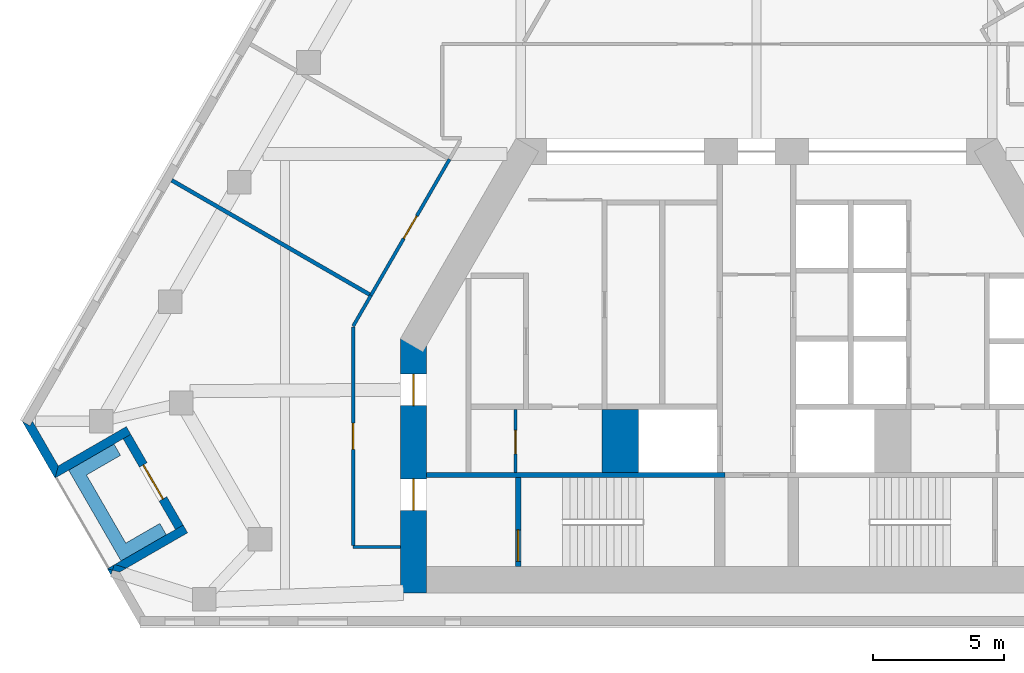
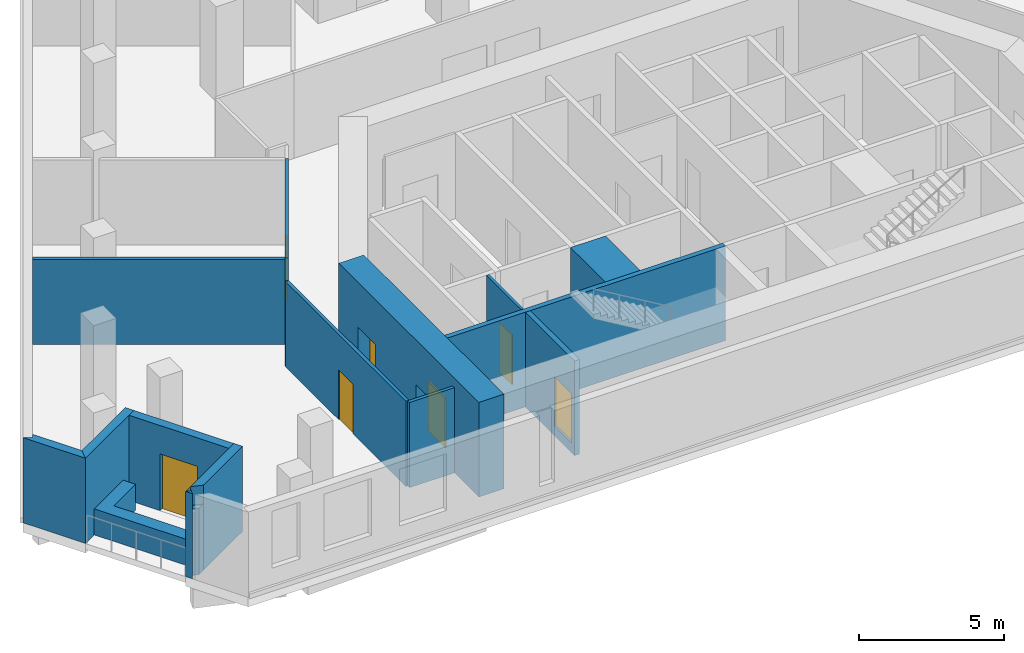
# One storey, part 3 of 9: 18 walls, 7 doors, 7 openings.
"""IFC4 building model written with IfcOpenShell, lengths in metres."""

import ifcopenshell
import ifcopenshell.guid

model = None  # the IFC model being written
_history = None  # IfcOwnerHistory: only IFC2X3 demands one
_inside = {}  # id of a spatial element -> (the spatial element, [elements in it])
_under = {}  # id of a project, library or spatial element -> (it, [spatial elements below it])
_declared = {}  # id of a project -> (the project, [libraries it declares])
_typed = {}  # id of a type object -> (the type object, [elements of that type])
_made_of = {}  # id of a material, layer set ... -> (it, [elements and type objects made of it])


def new_model(schema):
    """Start an empty IFC model of exactly this schema.

    Asked for "IFC4X3", IfcOpenShell would pick the latest addendum, in which some entities
    have other attributes; the version numbers below select the first issue.
    IFC2X3 requires an IfcOwnerHistory on every rooted entity: one is made here for all.
    """
    global model, _history
    if schema == "IFC4X3":
        model = ifcopenshell.file(schema_version=(4, 3, 0, 0))
    else:
        model = ifcopenshell.file(schema=schema)
    _inside.clear()
    _under.clear()
    _declared.clear()
    _typed.clear()
    _made_of.clear()
    _history = None
    if model.schema == "IFC2X3":
        org = make("IfcOrganization", Name="unknown")
        user = make(
            "IfcPersonAndOrganization",
            ThePerson=make("IfcPerson", FamilyName="unknown"),
            TheOrganization=org,
        )
        app = make(
            "IfcApplication",
            ApplicationDeveloper=org,
            Version="unknown",
            ApplicationFullName="unknown",
            ApplicationIdentifier="unknown",
        )
        _history = make(
            "IfcOwnerHistory",
            OwningUser=user,
            OwningApplication=app,
            ChangeAction="ADDED",
            CreationDate=0,
        )
    return model


def make(cls, **values):
    """One entity of the class cls with the attributes given. An attribute that is None is left unset."""
    return model.create_entity(
        cls, **{name: value for name, value in values.items() if value is not None}
    )


def rooted(cls, **values):
    """An entity with a GlobalId (a new one), such as an element, a storey or a relation."""
    return make(cls, GlobalId=ifcopenshell.guid.new(), OwnerHistory=_history, **values)


def si_unit(unit_type, name, prefix=None):
    """IfcSIUnit, for example si_unit("LENGTHUNIT", "METRE", prefix="MILLI")."""
    return make("IfcSIUnit", UnitType=unit_type, Prefix=prefix, Name=name)


def assignment(units):
    """IfcUnitAssignment: the units of a project."""
    return None if units is None else make("IfcUnitAssignment", Units=units)


def point(xyz):
    """IfcCartesianPoint."""
    return None if xyz is None else make("IfcCartesianPoint", Coordinates=xyz)


def direction(xyz):
    """IfcDirection."""
    return None if xyz is None else make("IfcDirection", DirectionRatios=xyz)


def frame(location, z_axis=None, x_axis=None):
    """IfcAxis2Placement3D, a coordinate frame: its origin and axes. An axis left out is left unset."""
    return make(
        "IfcAxis2Placement3D",
        Location=point(location),
        Axis=direction(z_axis),
        RefDirection=direction(x_axis),
    )


def frame_2d(location, x_axis=None):
    """IfcAxis2Placement2D, a coordinate frame in the plane: its origin and x axis."""
    return make(
        "IfcAxis2Placement2D", Location=point(location), RefDirection=direction(x_axis)
    )


def origin():
    """The frame at (0, 0, 0) with its axes left unset."""
    return frame((0.0, 0.0, 0.0))


def place(relative_to, where):
    """IfcLocalPlacement: puts the frame where relative to a parent placement (None: the world)."""
    return make(
        "IfcLocalPlacement", PlacementRelTo=relative_to, RelativePlacement=where
    )


def context(
    kind, dimensions, precision=None, world=None, true_north=None, identifier=None
):
    """IfcGeometricRepresentationContext, for example the 3D "Model" context."""
    return make(
        "IfcGeometricRepresentationContext",
        ContextIdentifier=identifier,
        ContextType=kind,
        CoordinateSpaceDimension=dimensions,
        Precision=precision,
        WorldCoordinateSystem=world,
        TrueNorth=true_north,
    )


def subcontext(parent, identifier, kind, view, scale=None):
    """IfcGeometricRepresentationSubContext, for example "Body" below "Model"."""
    return make(
        "IfcGeometricRepresentationSubContext",
        ContextIdentifier=identifier,
        ContextType=kind,
        ParentContext=parent,
        TargetScale=scale,
        TargetView=view,
    )


def project(units=None, contexts=None):
    """IfcProject with its units and contexts."""
    return rooted(
        "IfcProject",
        Name="project",
        RepresentationContexts=contexts,
        UnitsInContext=assignment(units),
    )


def spatial(cls, under=None, at=None, **own):
    """A site, building, storey or space (cls), placed at a placement, below another one or the project."""
    s = rooted(cls, ObjectPlacement=at, **own)
    if under is not None:
        _under.setdefault(under.id(), (under, []))[1].append(s)
    return s


def polyline(points):
    """IfcPolyline through the points."""
    return make("IfcPolyline", Points=[point(p) for p in points])


def profile(cls, at=None, kind="AREA", **sizes):
    """A parametric profile (cls). Its sizes go by their IFC names, for example OverallWidth=200.0."""
    return make(cls, ProfileType=kind, Position=at, **sizes)


def rectangle(**sizes):
    """IfcRectangleProfileDef."""
    return profile("IfcRectangleProfileDef", **sizes)


def outline(outer, holes=None, kind="AREA"):
    """IfcArbitraryClosedProfileDef: a profile drawn as a closed curve; with holes, ...WithVoids."""
    if holes is None:
        return make("IfcArbitraryClosedProfileDef", ProfileType=kind, OuterCurve=outer)
    return make(
        "IfcArbitraryProfileDefWithVoids",
        ProfileType=kind,
        OuterCurve=outer,
        InnerCurves=holes,
    )


def extrude(swept, where, along, depth):
    """IfcExtrudedAreaSolid: the profile swept, set in the frame where, extruded along a direction by depth."""
    return make(
        "IfcExtrudedAreaSolid",
        SweptArea=swept,
        Position=where,
        ExtrudedDirection=direction(along),
        Depth=depth,
    )


def shape(context_of_items, identifier, shape_type, items):
    """IfcShapeRepresentation: the items that make up one representation, for example the "Body"."""
    return make(
        "IfcShapeRepresentation",
        ContextOfItems=context_of_items,
        RepresentationIdentifier=identifier,
        RepresentationType=shape_type,
        Items=items,
    )


def material(Name=None, Category=None):
    """IfcMaterial."""
    return make("IfcMaterial", Name=Name, Category=Category)


def layer(
    of_material, thickness, ventilated=None, Name=None, Category=None, Priority=None
):
    """IfcMaterialLayer: one layer of a wall or slab, of a material (None: an air gap)."""
    return make(
        "IfcMaterialLayer",
        Material=of_material,
        LayerThickness=thickness,
        IsVentilated=ventilated,
        Name=Name,
        Category=Category,
        Priority=Priority,
    )


def layer_set(layers, Name=None):
    """IfcMaterialLayerSet."""
    return make("IfcMaterialLayerSet", MaterialLayers=layers, LayerSetName=Name)


def made_of(thing, what):
    """Note that an element or type object is made of a material, layer set ...; save() writes the relation."""
    if what is not None:
        _made_of.setdefault(what.id(), (what, []))[1].append(thing)
    return thing


def type_object(cls, material=None, **own):
    """A type object (cls), such as IfcWallType, which elements share."""
    return made_of(rooted(cls, **own), material)


def element(
    cls,
    number,
    at=None,
    inside=None,
    cuts=None,
    type_object=None,
    material=None,
    context=None,
    identifier="Body",
    shape_type=None,
    held_by="IfcProductDefinitionShape",
    body=None,
    shapes=None,
    **own,
):
    """One element of the class cls, such as IfcWall. Its Tag is "e" and its number.

    at: its placement. inside: the storey or other place that contains it. cuts: it is an
    opening in that element (IfcRelVoidsElement). A single representation is given by context,
    identifier, shape_type and body (its items); several are given by shapes. held_by: the class
    of the entity that holds the representations. save() writes the other relations.
    """
    e = rooted(cls, Tag="e%d" % number, ObjectPlacement=at, **own)
    if body is not None:
        shapes = [shape(context, identifier, shape_type, body)]
    if shapes is not None:
        e.Representation = make(held_by, Representations=shapes)
    if inside is not None:
        _inside.setdefault(inside.id(), (inside, []))[1].append(e)
    if cuts is not None:
        rooted(
            "IfcRelVoidsElement", RelatingBuildingElement=cuts, RelatedOpeningElement=e
        )
    if type_object is not None:
        _typed.setdefault(type_object.id(), (type_object, []))[1].append(e)
    return made_of(e, material)


def fill(opening, filler):
    """IfcRelFillsElement: the door or window that sits in an opening."""
    return rooted(
        "IfcRelFillsElement",
        RelatingOpeningElement=opening,
        RelatedBuildingElement=filler,
    )


def aggregate(whole, parts):
    """IfcRelAggregates: a whole, such as a stair, and the parts it consists of."""
    return rooted("IfcRelAggregates", RelatingObject=whole, RelatedObjects=parts)


def save(model, path):
    """Write the relations noted so far, then the file.

    IfcRelAggregates (storeys below a building ...), IfcRelContainedInSpatialStructure (elements
    in a storey), IfcRelDefinesByType, IfcRelAssociatesMaterial and IfcRelDeclares: one each for
    every whole, place, type object, material and project.
    """
    for whole, parts in _under.values():
        aggregate(whole, parts)
    for where, things in _inside.values():
        rooted(
            "IfcRelContainedInSpatialStructure",
            RelatedElements=things,
            RelatingStructure=where,
        )
    for kind, things in _typed.values():
        rooted("IfcRelDefinesByType", RelatedObjects=things, RelatingType=kind)
    for what, things in _made_of.values():
        rooted("IfcRelAssociatesMaterial", RelatedObjects=things, RelatingMaterial=what)
    for by, libraries in _declared.values():
        rooted("IfcRelDeclares", RelatingContext=by, RelatedDefinitions=libraries)
    model.write(path)


model = new_model("IFC4")

# Units and contexts
model_context = context("Model", 3, precision=1e-05, world=origin(), true_north=direction((0.0, 1.0)))
body_context = subcontext(model_context, "Body", "Model", "MODEL_VIEW")
ifc_project = project(units=[si_unit("LENGTHUNIT", "METRE"), si_unit("AREAUNIT", "SQUARE_METRE"), si_unit("VOLUMEUNIT", "CUBIC_METRE"), si_unit("PLANEANGLEUNIT", "RADIAN"), si_unit("MASSUNIT", "GRAM", prefix="KILO")], contexts=[model_context])

# Site, building, storey
site_placement = place(None, origin())
site = spatial("IfcSite", under=ifc_project, at=site_placement, CompositionType="ELEMENT")
building_placement = place(site_placement, origin())
building = spatial("IfcBuilding", under=site, at=building_placement, Name="Fogline Exchange Tower", CompositionType="ELEMENT")
storey_placement = place(building_placement, frame((0.0, 0.0, 186.10009765625)))
storey = spatial("IfcBuildingStorey", under=building, at=storey_placement, Name="L41", CompositionType="ELEMENT", Elevation=186.10009765625)

# Wall, opening, door
ifc_material_1 = material(Name="Blockwork partition", Category="masonry")
ifc_layer_1 = layer(ifc_material_1, 0.10009765625)
ifc_layer_set_1 = layer_set([ifc_layer_1], Name="CW10")
wall_type_1 = type_object("IfcWallType", Name="CW10", PredefinedType="PARTITIONING", material=ifc_layer_set_1)
wall_1_placement = place(storey_placement, frame((-9.199951171875, 5.85009765625, 0.0), z_axis=(0.0, 0.0, 1.0), x_axis=(0.0, 1.0, 0.0)))
wall_1 = element("IfcWall", 1, at=wall_1_placement, inside=storey, type_object=wall_type_1, Name="WC partition", PredefinedType="PARTITIONING", context=body_context, shape_type="SweptSolid", body=[
    extrude(rectangle(XDim=2.39990234375, YDim=0.10009765625, at=frame_2d((1.199951171875, 0.0))), origin(), (0.0, 0.0, 1.0), 3.599853515625),
])
opening_1_placement = place(wall_1_placement, frame((0.699951171875, 0.0, 0.0)))
opening_1 = element("IfcOpeningElement", 2, at=opening_1_placement, cuts=wall_1, Name="Opening T13-C008", PredefinedType="OPENING", context=body_context, shape_type="SweptSolid", body=[
    extrude(rectangle(XDim=0.89990234375, YDim=2.10009765625, at=frame_2d((0.449951171875, 1.050048828125))), frame((0.0, 0.06005859375, 0.0), z_axis=(0.0, -1.0, 0.0), x_axis=(1.0, 0.0, 0.0)), (0.0, 0.0, 1.0), 0.1201171875),
])
ifc_material_2 = material(Name="Steel and timber fire door", Category="steel")
door_type_1 = type_object("IfcDoorType", Name="D-CS1", OperationType="SINGLE_SWING_RIGHT", PredefinedType="DOOR", material=ifc_material_2)
door_1_placement = place(opening_1_placement, origin())
door_1 = element("IfcDoor", 3, at=door_1_placement, inside=storey, type_object=door_type_1, Name="Door to Cleaner's Store", OperationType="SINGLE_SWING_LEFT", OverallHeight=2.10009765625, OverallWidth=0.89990234375, PredefinedType="DOOR", context=body_context, shape_type="SweptSolid", body=[
    extrude(rectangle(XDim=0.89990234375, YDim=2.10009765625, at=frame_2d((0.449951171875, 1.050048828125))), frame((0.0, 0.02490234375, 0.0), z_axis=(0.0, -1.0, 0.0), x_axis=(1.0, 0.0, 0.0)), (0.0, 0.0, 1.0), 0.050048828125),
])
fill(opening_1, door_1)

# Walls
ifc_material_3 = material(Name="Concrete C60", Category="concrete")
ifc_layer_2 = layer(ifc_material_3, 1.39990234375)
ifc_layer_set_2 = layer_set([ifc_layer_2], Name="CW140")
wall_type_2 = type_object("IfcWallType", Name="CW140", PredefinedType="SOLIDWALL", material=ifc_layer_set_2)
wall_2_placement = place(storey_placement, frame((-5.199951171875, 5.85009765625, -0.400146484375), z_axis=(0.0, 0.0, 1.0), x_axis=(0.0, 1.0, 0.0)))
element("IfcWall", 4, at=wall_2_placement, inside=storey, type_object=wall_type_2, Name="Lift shaft block wall", PredefinedType="SOLIDWALL", context=body_context, shape_type="SweptSolid", body=[
    extrude(rectangle(XDim=2.39990234375, YDim=1.39990234375, at=frame_2d((1.199951171875, 0.0))), origin(), (0.0, 0.0, 1.0), 4.0),
])
ifc_material_4 = material(Name="Concrete C40", Category="concrete")
ifc_layer_3 = layer(ifc_material_4, 0.199951171875)
ifc_layer_set_3 = layer_set([ifc_layer_3], Name="CW20R")
wall_type_3 = type_object("IfcWallType", Name="CW20R", PredefinedType="SOLIDWALL", material=ifc_layer_set_3)
wall_3_placement = place(storey_placement, frame((-12.60009765625, 5.75, -0.400146484375), z_axis=(0.0, 0.0, 1.0), x_axis=(1.0, 0.0, 0.0)))
element("IfcWall", 5, at=wall_3_placement, inside=storey, type_object=wall_type_3, Name="Stair enclosure wall", PredefinedType="SOLIDWALL", context=body_context, shape_type="SweptSolid", body=[
    extrude(rectangle(XDim=11.400146484375, YDim=0.199951171875, at=frame_2d((5.7001953125, 0.0))), origin(), (0.0, 0.0, 1.0), 4.0),
])

# Wall, opening, door
wall_4_placement = place(storey_placement, frame((-9.10009765625, 2.25, -0.400146484375), z_axis=(0.0, 0.0, 1.0), x_axis=(0.0, 1.0, 0.0)))
wall_4 = element("IfcWall", 6, at=wall_4_placement, inside=storey, type_object=wall_type_3, Name="Stair enclosure wall", PredefinedType="SOLIDWALL", context=body_context, shape_type="SweptSolid", body=[
    extrude(rectangle(XDim=3.39990234375, YDim=0.199951171875, at=frame_2d((1.699951171875, 0.0))), origin(), (0.0, 0.0, 1.0), 4.0),
])
opening_2_placement = place(wall_4_placement, frame((0.199951171875, 0.0, 0.39990234375)))
opening_2 = element("IfcOpeningElement", 7, at=opening_2_placement, cuts=wall_4, Name="Opening T13-C010", PredefinedType="OPENING", context=body_context, shape_type="SweptSolid", body=[
    extrude(rectangle(XDim=1.199951171875, YDim=2.10009765625, at=frame_2d((0.60009765625, 1.050048828125))), frame((0.0, 0.10986328125, 0.0), z_axis=(0.0, -1.0, 0.0), x_axis=(1.0, 0.0, 0.0)), (0.0, 0.0, 1.0), 0.219970703125),
])
door_type_2 = type_object("IfcDoorType", Name="D-ST1", OperationType="SINGLE_SWING_LEFT", PredefinedType="DOOR", material=ifc_material_2)
door_2_placement = place(opening_2_placement, frame((1.199951171875, 0.0, 0.0), z_axis=(0.0, 0.0, 1.0), x_axis=(-1.0, 0.0, 0.0)))
door_2 = element("IfcDoor", 8, at=door_2_placement, inside=storey, type_object=door_type_2, Name="Stair door ST1", OperationType="SINGLE_SWING_RIGHT", OverallHeight=2.10009765625, OverallWidth=1.199951171875, PredefinedType="DOOR", context=body_context, shape_type="SweptSolid", body=[
    extrude(rectangle(XDim=1.199951171875, YDim=2.10009765625, at=frame_2d((0.60009765625, 1.050048828125))), frame((0.0, 0.02490234375, 0.0), z_axis=(0.0, -1.0, 0.0), x_axis=(1.0, 0.0, 0.0)), (0.0, 0.0, 1.0), 0.050048828125),
])
fill(opening_2, door_2)

# Walls
ifc_material_5 = material(Name="Brick masonry", Category="masonry")
ifc_layer_4 = layer(ifc_material_5, 0.340087890625)
ifc_layer_set_4 = layer_set([ifc_layer_4], Name="FW1")
wall_type_4 = type_object("IfcWallType", Name="FW1", PredefinedType="SOLIDWALL", material=ifc_layer_set_4)
wall_5_placement = place(storey_placement, origin())
element("IfcWall", 9, at=wall_5_placement, inside=storey, type_object=wall_type_4, Name="Brick wall L41 SW-c1", PredefinedType="SOLIDWALL", context=body_context, shape_type="SweptSolid", body=[
    extrude(outline(polyline([(-26.78125, 5.6279296875), (-28.032470703125, 7.794921875), (-28.031982421875, 7.79541015625), (-27.737060546875, 7.625), (-27.638671875, 7.79541015625), (-26.65625, 6.09375), (-26.781005859375, 5.6279296875), (-26.78125, 5.6279296875)])), origin(), (0.0, 0.0, 1.0), 3.599853515625),
])
wall_6_placement = place(storey_placement, origin())
element("IfcWall", 10, at=wall_6_placement, inside=storey, type_object=wall_type_4, Name="Brick wall L41 SW-s1", PredefinedType="SOLIDWALL", context=body_context, shape_type="SweptSolid", body=[
    extrude(outline(polyline([(-24.05859375, 7.594482421875), (-23.887939453125, 7.298828125), (-24.182861328125, 7.128662109375), (-26.781982421875, 5.628173828125), (-26.7822265625, 5.62841796875), (-26.657470703125, 6.093994140625), (-24.05859375, 7.594482421875)])), origin(), (0.0, 0.0, 1.0), 3.599853515625),
])

# Wall, opening, door
wall_7_placement = place(storey_placement, frame((-24.035888671875, 7.214111328125, 0.0), z_axis=(0.0, 0.0, 1.0), x_axis=(0.49999894854, -0.866026010844, 0.0)))
wall_7 = element("IfcWall", 11, at=wall_7_placement, inside=storey, type_object=wall_type_4, Name="Brick wall L41 SW-bk", PredefinedType="SOLIDWALL", context=body_context, shape_type="SweptSolid", body=[
    extrude(rectangle(XDim=4.0, YDim=0.340087890625, at=frame_2d((2.0, 0.0))), origin(), (0.0, 0.0, 1.0), 3.599853515625),
])
opening_3_placement = place(wall_7_placement, frame((1.25, 0.0, 0.0)))
opening_3 = element("IfcOpeningElement", 12, at=opening_3_placement, cuts=wall_7, Name="Opening T13-E021", PredefinedType="OPENING", context=body_context, shape_type="SweptSolid", body=[
    extrude(rectangle(XDim=1.5, YDim=2.39990234375, at=frame_2d((0.75, 1.199951171875))), frame((0.0, 0.18017578125, 0.0), z_axis=(0.0, -1.0, 0.0), x_axis=(1.0, 0.0, 0.0)), (0.0, 0.0, 1.0), 0.360107421875),
])
ifc_material_6 = material(Name="Aluminium and glass", Category="aluminium")
door_type_3 = type_object("IfcDoorType", Name="ED4", OperationType="SINGLE_SWING_LEFT", PredefinedType="DOOR", material=ifc_material_6)
door_3_placement = place(opening_3_placement, frame((1.5, 0.0, 0.0), z_axis=(0.0, 0.0, 1.0), x_axis=(-1.0, 0.0, 0.0)))
door_3 = element("IfcDoor", 13, at=door_3_placement, inside=storey, type_object=door_type_3, Name="Balcony door L41 SW", OperationType="DOUBLE_DOOR_SINGLE_SWING", OverallHeight=2.39990234375, OverallWidth=1.5, PredefinedType="DOOR", context=body_context, shape_type="SweptSolid", body=[
    extrude(rectangle(XDim=1.5, YDim=2.39990234375, at=frame_2d((0.75, 1.199951171875))), frame((0.0, 0.02490234375, 0.0), z_axis=(0.0, -1.0, 0.0), x_axis=(1.0, 0.0, 0.0)), (0.0, 0.0, 1.0), 0.050048828125),
])
fill(opening_3, door_3)

# Walls
wall_8_placement = place(storey_placement, origin())
element("IfcWall", 14, at=wall_8_placement, inside=storey, type_object=wall_type_4, Name="Brick wall L41 SW-s2", PredefinedType="SOLIDWALL", context=body_context, shape_type="SweptSolid", body=[
    extrude(outline(polyline([(-24.498046875, 2.329345703125), (-24.0556640625, 2.190673828125), (-24.31689453125, 2.0400390625), (-24.587158203125, 2.1123046875), (-24.523681640625, 2.314453125), (-24.498046875, 2.329345703125)])), origin(), (0.0, 0.0, 1.0), 2.7998046875),
])
wall_9_placement = place(storey_placement, origin())
element("IfcWall", 15, at=wall_9_placement, inside=storey, type_object=wall_type_4, Name="Brick wall L41 SW-s2", PredefinedType="SOLIDWALL", context=body_context, shape_type="SweptSolid", body=[
    extrude(outline(polyline([(-24.523681640625, 2.314453125), (-24.587158203125, 2.1123046875), (-24.782470703125, 2.164794921875), (-24.782470703125, 2.1650390625), (-24.523681640625, 2.314453125)])), origin(), (0.0, 0.0, 1.0), 3.599853515625),
])
wall_10_placement = place(storey_placement, origin())
element("IfcWall", 16, at=wall_10_placement, inside=storey, type_object=wall_type_4, Name="Brick wall L41 SW-s2", PredefinedType="SOLIDWALL", context=body_context, shape_type="SweptSolid", body=[
    extrude(outline(polyline([(-22.18359375, 3.66552734375), (-21.888671875, 3.8359375), (-21.718017578125, 3.540283203125), (-24.0556640625, 2.190673828125), (-24.498046875, 2.329345703125), (-22.18359375, 3.66552734375)])), origin(), (0.0, 0.0, 1.0), 3.599853515625),
])
wall_11_placement = place(storey_placement, origin())
element("IfcWall", 17, at=wall_11_placement, inside=storey, type_object=wall_type_4, Name="Brick wall L41 SW-c2", PredefinedType="SOLIDWALL", context=body_context, shape_type="SweptSolid", body=[
    extrude(outline(polyline([(-24.782470703125, 2.165771484375), (-24.7822265625, 2.166015625), (-24.586669921875, 2.113525390625), (-24.64501953125, 1.927734375), (-24.782470703125, 2.165771484375)])), origin(), (0.0, 0.0, 1.0), 3.599853515625),
])
ifc_material_7 = material(Name="Concrete C30", Category="concrete")
ifc_layer_5 = layer(ifc_material_7, 0.199951171875)
ifc_layer_set_5 = layer_set([ifc_layer_5], Name="PL1")
wall_type_5 = type_object("IfcWallType", Name="PL1", PredefinedType="USERDEFINED", material=ifc_layer_set_5)
wall_12_placement = place(storey_placement, origin())
element("IfcWall", 18, at=wall_12_placement, inside=storey, type_object=wall_type_5, Name="PLANTER balcony L41 SW", ObjectType="PLANTER", PredefinedType="USERDEFINED", context=body_context, shape_type="SweptSolid", body=[
    extrude(outline(polyline([(-22.779541015625, 3.898193359375), (-24.07861328125, 3.148193359375), (-25.57861328125, 5.74609375), (-24.279541015625, 6.49609375), (-24.529541015625, 6.92919921875), (-26.26171875, 5.92919921875), (-26.01171875, 5.49609375), (-24.26171875, 2.465087890625), (-23.82861328125, 2.715087890625), (-23.82861328125, 2.715087890625), (-22.529541015625, 3.465087890625), (-22.779541015625, 3.898193359375)])), origin(), (0.0, 0.0, 1.0), 1.099853515625),
])

# Wall, opening, door
ifc_material_8 = material(Name="Plasterboard corridor partition with mineral wool, 2 layers each side")
ifc_layer_6 = layer(ifc_material_8, 0.125)
ifc_layer_set_6 = layer_set([ifc_layer_6], Name="PW2")
wall_type_6 = type_object("IfcWallType", Name="PW2", PredefinedType="PARTITIONING", material=ifc_layer_set_6)
wall_13_placement = place(storey_placement, frame((-14.719482421875, 12.606201171875, 0.0), z_axis=(0.0, 0.0, 1.0), x_axis=(0.499990139034, 0.866031096941, 0.0)))
wall_13 = element("IfcWall", 19, at=wall_13_placement, inside=storey, type_object=wall_type_6, Name="wall-L41-W015", PredefinedType="PARTITIONING", context=body_context, shape_type="SweptSolid", body=[
    extrude(rectangle(XDim=6.0, YDim=0.125, at=frame_2d((3.0, 0.0))), origin(), (0.0, 0.0, 1.0), 3.599853515625),
])
opening_4_placement = place(wall_13_placement, frame((2.5, 0.0, 0.0)))
opening_4 = element("IfcOpeningElement", 20, at=opening_4_placement, cuts=wall_13, Name="Opening T13-D006", PredefinedType="OPENING", context=body_context, shape_type="SweptSolid", body=[
    extrude(rectangle(XDim=1.0, YDim=2.10009765625, at=frame_2d((0.5, 1.050048828125))), frame((0.0, 0.072509765625, 0.0), z_axis=(0.0, -1.0, 0.0), x_axis=(1.0, 0.0, 0.0)), (0.0, 0.0, 1.0), 0.14501953125),
])
ifc_material_9 = material(Name="Fire-rated timber door leaf with steel frame", Category="steel")
door_type_4 = type_object("IfcDoorType", Name="D3", OperationType="SINGLE_SWING_LEFT", PredefinedType="DOOR", material=ifc_material_9)
door_4_placement = place(opening_4_placement, origin())
door_4 = element("IfcDoor", 21, at=door_4_placement, inside=storey, type_object=door_type_4, Name="door-L41-D006", OperationType="SINGLE_SWING_LEFT", OverallHeight=2.10009765625, OverallWidth=1.0, PredefinedType="DOOR", context=body_context, shape_type="SweptSolid", body=[
    extrude(rectangle(XDim=1.0, YDim=2.10009765625, at=frame_2d((0.5, 1.050048828125))), frame((0.0, 0.02490234375, 0.0), z_axis=(0.0, -1.0, 0.0), x_axis=(1.0, 0.0, 0.0)), (0.0, 0.0, 1.0), 0.050048828125),
])
fill(opening_4, door_4)

# Wall
wall_14_placement = place(storey_placement, frame((-13.60009765625, 3.0, 0.0), z_axis=(0.0, 0.0, 1.0), x_axis=(-1.0, 0.0, 0.0)))
element("IfcWall", 22, at=wall_14_placement, inside=storey, type_object=wall_type_6, Name="wall-L41-W016", PredefinedType="PARTITIONING", context=body_context, shape_type="SweptSolid", body=[
    extrude(rectangle(XDim=1.7998046875, YDim=0.125, at=frame_2d((0.89990234375, 0.0))), origin(), (0.0, 0.0, 1.0), 3.599853515625),
])

# Wall, opening, door
wall_15_placement = place(storey_placement, frame((-15.39990234375, 3.0625, 0.0), z_axis=(0.0, 0.0, 1.0), x_axis=(0.0, 1.0, 0.0)))
wall_15 = element("IfcWall", 23, at=wall_15_placement, inside=storey, type_object=wall_type_6, Name="wall-L41-W017", PredefinedType="PARTITIONING", context=body_context, shape_type="SweptSolid", body=[
    extrude(rectangle(XDim=8.334228515625, YDim=0.125, at=frame_2d((4.1669921875, 0.0))), origin(), (0.0, 0.0, 1.0), 3.599853515625),
])
opening_5_placement = place(wall_15_placement, frame((3.6669921875, 0.0, 0.0)))
opening_5 = element("IfcOpeningElement", 24, at=opening_5_placement, cuts=wall_15, Name="Opening T13-D007", PredefinedType="OPENING", context=body_context, shape_type="SweptSolid", body=[
    extrude(rectangle(XDim=1.0, YDim=2.10009765625, at=frame_2d((0.5, 1.050048828125))), frame((0.0, 0.072509765625, 0.0), z_axis=(0.0, -1.0, 0.0), x_axis=(1.0, 0.0, 0.0)), (0.0, 0.0, 1.0), 0.14501953125),
])
door_5_placement = place(opening_5_placement, origin())
door_5 = element("IfcDoor", 25, at=door_5_placement, inside=storey, type_object=door_type_4, Name="door-L41-D007", OperationType="SINGLE_SWING_LEFT", OverallHeight=2.10009765625, OverallWidth=1.0, PredefinedType="DOOR", context=body_context, shape_type="SweptSolid", body=[
    extrude(rectangle(XDim=1.0, YDim=2.10009765625, at=frame_2d((0.5, 1.050048828125))), frame((0.0, 0.02490234375, 0.0), z_axis=(0.0, -1.0, 0.0), x_axis=(1.0, 0.0, 0.0)), (0.0, 0.0, 1.0), 0.050048828125),
])
fill(opening_5, door_5)

# Walls
wall_16_placement = place(storey_placement, frame((-15.39990234375, 11.427734375, 0.0), z_axis=(0.0, 0.0, 1.0), x_axis=(0.500017526161, 0.866015284814, 0.0)))
element("IfcWall", 26, at=wall_16_placement, inside=storey, type_object=wall_type_6, Name="wall-L41-W018", PredefinedType="PARTITIONING", context=body_context, shape_type="SweptSolid", body=[
    extrude(rectangle(XDim=1.36083984375, YDim=0.125, at=frame_2d((0.680419921875, 0.0))), origin(), (0.0, 0.0, 1.0), 3.599853515625),
])
ifc_material_10 = material(Name="Plasterboard demising partition with mineral wool and acoustic board")
ifc_layer_7 = layer(ifc_material_10, 0.14990234375)
ifc_layer_set_7 = layer_set([ifc_layer_7], Name="PW3")
wall_type_7 = type_object("IfcWallType", Name="PW3", PredefinedType="PARTITIONING", material=ifc_layer_set_7)
wall_17_placement = place(storey_placement, frame((-14.773681640625, 12.637451171875, 0.0), z_axis=(0.0, 0.0, 1.0), x_axis=(-0.866025660521, 0.499999555319, 0.0)))
element("IfcWall", 27, at=wall_17_placement, inside=storey, type_object=wall_type_7, Name="wall-L41-W041", PredefinedType="PARTITIONING", context=body_context, shape_type="SweptSolid", body=[
    extrude(rectangle(XDim=8.7197265625, YDim=0.14990234375, at=frame_2d((4.35986328125, 0.0))), origin(), (0.0, 0.0, 1.0), 3.599853515625),
])

# Wall, openings, doors
ifc_layer_8 = layer(ifc_material_3, 1.0)
ifc_layer_set_8 = layer_set([ifc_layer_8], Name="SW03")
wall_type_8 = type_object("IfcWallType", Name="SW03", PredefinedType="SHEAR", material=ifc_layer_set_8)
wall_18_placement = place(storey_placement, frame((-13.10009765625, 10.9453125, 0.0), z_axis=(0.0, 0.0, 1.0), x_axis=(0.0, -1.0, 0.0)))
wall_18 = element("IfcWall", 28, at=wall_18_placement, inside=storey, type_object=wall_type_8, Name="L41-W906", PredefinedType="SHEAR", context=body_context, shape_type="SweptSolid", body=[
    extrude(rectangle(XDim=9.6953125, YDim=1.0, at=frame_2d((4.84765625, 0.0))), origin(), (0.0, 0.0, 1.0), 4.0),
])
opening_6_placement = place(wall_18_placement, frame((5.345458984375, 0.0, 0.0)))
opening_6 = element("IfcOpeningElement", 29, at=opening_6_placement, cuts=wall_18, Name="Opening T13-C009", PredefinedType="OPENING", context=body_context, shape_type="SweptSolid", body=[
    extrude(rectangle(XDim=1.199951171875, YDim=2.10009765625, at=frame_2d((0.60009765625, 1.050048828125))), frame((0.0, 0.510009765625, 0.0), z_axis=(0.0, -1.0, 0.0), x_axis=(1.0, 0.0, 0.0)), (0.0, 0.0, 1.0), 1.02001953125),
])
opening_7_placement = place(wall_18_placement, frame((1.345458984375, 0.0, 0.0)))
opening_7 = element("IfcOpeningElement", 30, at=opening_7_placement, cuts=wall_18, Name="Opening T13-C011", PredefinedType="OPENING", context=body_context, shape_type="SweptSolid", body=[
    extrude(rectangle(XDim=1.199951171875, YDim=2.10009765625, at=frame_2d((0.60009765625, 1.050048828125))), frame((0.0, 0.510009765625, 0.0), z_axis=(0.0, -1.0, 0.0), x_axis=(1.0, 0.0, 0.0)), (0.0, 0.0, 1.0), 1.02001953125),
])
door_type_5 = type_object("IfcDoorType", Name="D-FR1", OperationType="SINGLE_SWING_RIGHT", PredefinedType="DOOR", material=ifc_material_2)
door_6_placement = place(opening_6_placement, origin())
door_6 = element("IfcDoor", 31, at=door_6_placement, inside=storey, type_object=door_type_5, Name="Front room door ST1", OperationType="SINGLE_SWING_LEFT", OverallHeight=2.10009765625, OverallWidth=1.199951171875, PredefinedType="DOOR", context=body_context, shape_type="SweptSolid", body=[
    extrude(rectangle(XDim=1.199951171875, YDim=2.10009765625, at=frame_2d((0.60009765625, 1.050048828125))), frame((0.0, 0.02490234375, 0.0), z_axis=(0.0, -1.0, 0.0), x_axis=(1.0, 0.0, 0.0)), (0.0, 0.0, 1.0), 0.050048828125),
])
fill(opening_6, door_6)
door_type_6 = type_object("IfcDoorType", Name="D-SV1", OperationType="SINGLE_SWING_LEFT", PredefinedType="DOOR", material=ifc_material_2)
door_7_placement = place(opening_7_placement, origin())
door_7 = element("IfcDoor", 32, at=door_7_placement, inside=storey, type_object=door_type_6, Name="Service door W", OperationType="SINGLE_SWING_LEFT", OverallHeight=2.10009765625, OverallWidth=1.199951171875, PredefinedType="DOOR", context=body_context, shape_type="SweptSolid", body=[
    extrude(rectangle(XDim=1.199951171875, YDim=2.10009765625, at=frame_2d((0.60009765625, 1.050048828125))), frame((0.0, 0.02490234375, 0.0), z_axis=(0.0, -1.0, 0.0), x_axis=(1.0, 0.0, 0.0)), (0.0, 0.0, 1.0), 0.050048828125),
])
fill(opening_7, door_7)

save(model, "model.ifc")
